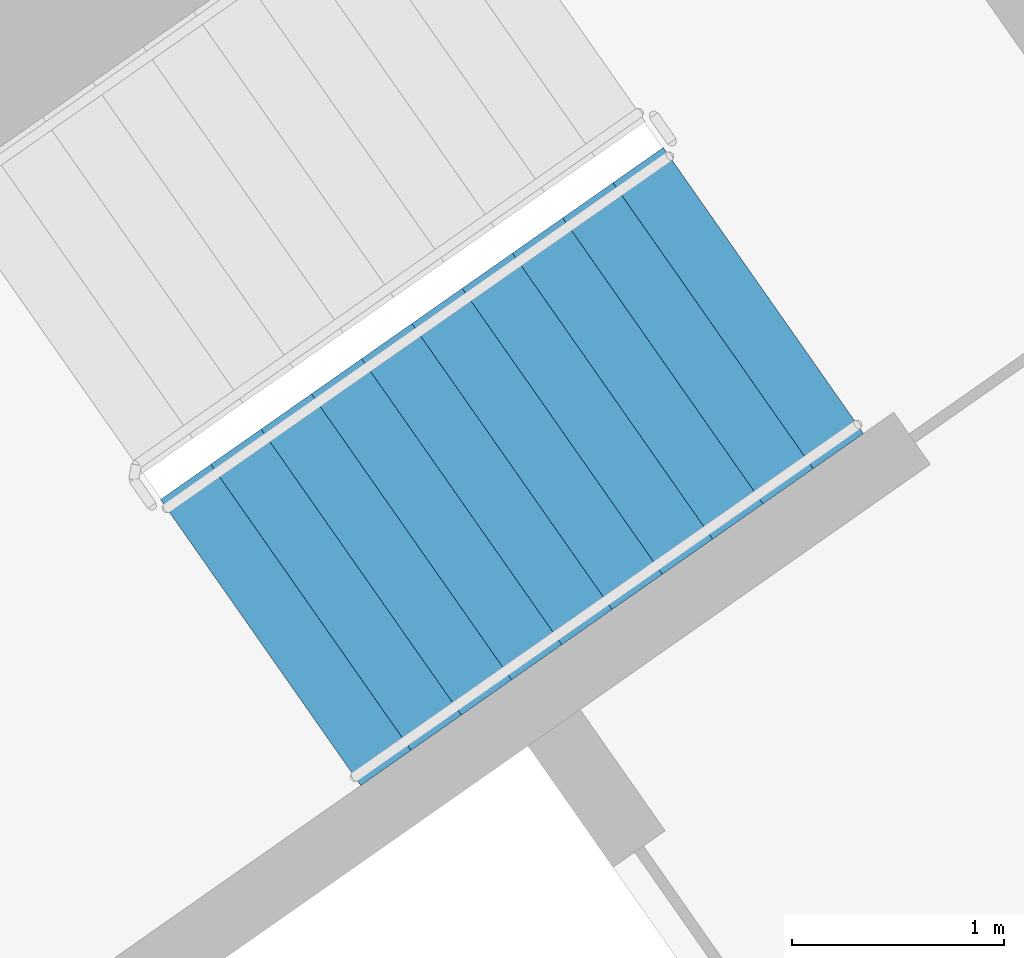
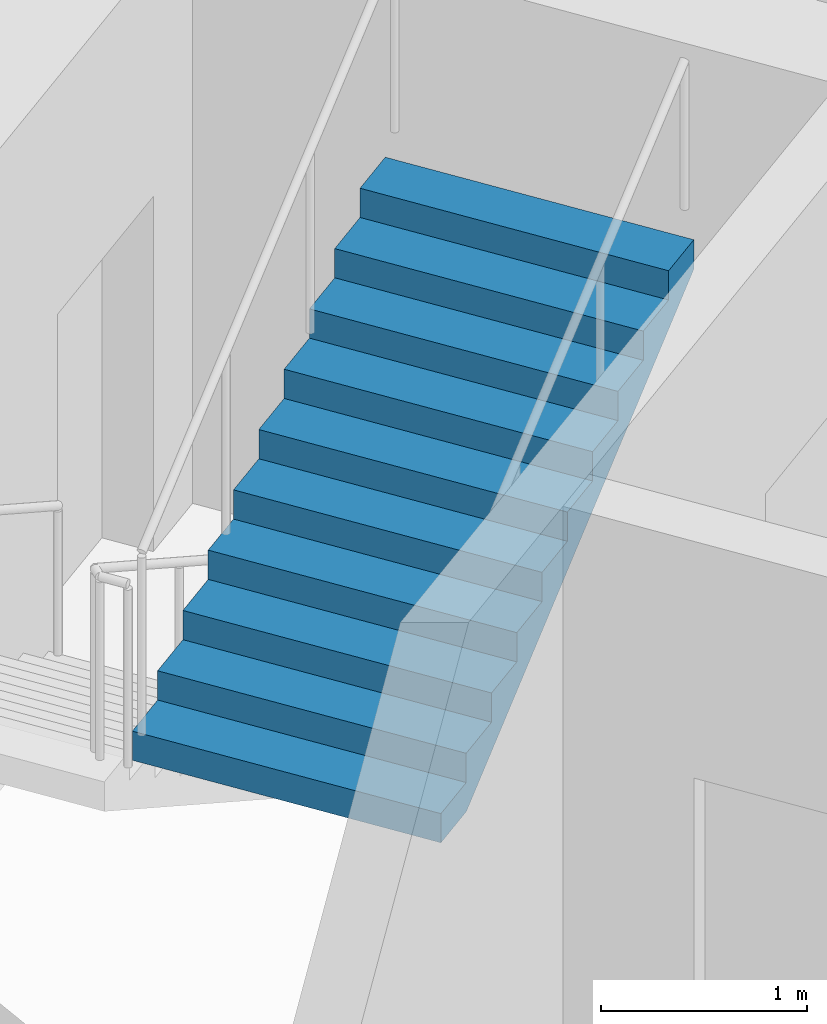
# One storey, part 16 of 28: 1 stair flight, 1 element without a shape of its own.
"""IFC4 building model written with IfcOpenShell, lengths in metres."""

import ifcopenshell
import ifcopenshell.guid

model = None  # the IFC model being written
_history = None  # IfcOwnerHistory: only IFC2X3 demands one
_inside = {}  # id of a spatial element -> (the spatial element, [elements in it])
_under = {}  # id of a project, library or spatial element -> (it, [spatial elements below it])
_declared = {}  # id of a project -> (the project, [libraries it declares])
_typed = {}  # id of a type object -> (the type object, [elements of that type])
_made_of = {}  # id of a material, layer set ... -> (it, [elements and type objects made of it])


def new_model(schema):
    """Start an empty IFC model of exactly this schema.

    Asked for "IFC4X3", IfcOpenShell would pick the latest addendum, in which some entities
    have other attributes; the version numbers below select the first issue.
    IFC2X3 requires an IfcOwnerHistory on every rooted entity: one is made here for all.
    """
    global model, _history
    if schema == "IFC4X3":
        model = ifcopenshell.file(schema_version=(4, 3, 0, 0))
    else:
        model = ifcopenshell.file(schema=schema)
    _inside.clear()
    _under.clear()
    _declared.clear()
    _typed.clear()
    _made_of.clear()
    _history = None
    if model.schema == "IFC2X3":
        org = make("IfcOrganization", Name="unknown")
        user = make(
            "IfcPersonAndOrganization",
            ThePerson=make("IfcPerson", FamilyName="unknown"),
            TheOrganization=org,
        )
        app = make(
            "IfcApplication",
            ApplicationDeveloper=org,
            Version="unknown",
            ApplicationFullName="unknown",
            ApplicationIdentifier="unknown",
        )
        _history = make(
            "IfcOwnerHistory",
            OwningUser=user,
            OwningApplication=app,
            ChangeAction="ADDED",
            CreationDate=0,
        )
    return model


def make(cls, **values):
    """One entity of the class cls with the attributes given. An attribute that is None is left unset."""
    return model.create_entity(
        cls, **{name: value for name, value in values.items() if value is not None}
    )


def rooted(cls, **values):
    """An entity with a GlobalId (a new one), such as an element, a storey or a relation."""
    return make(cls, GlobalId=ifcopenshell.guid.new(), OwnerHistory=_history, **values)


def si_unit(unit_type, name, prefix=None):
    """IfcSIUnit, for example si_unit("LENGTHUNIT", "METRE", prefix="MILLI")."""
    return make("IfcSIUnit", UnitType=unit_type, Prefix=prefix, Name=name)


def assignment(units):
    """IfcUnitAssignment: the units of a project."""
    return None if units is None else make("IfcUnitAssignment", Units=units)


def point(xyz):
    """IfcCartesianPoint."""
    return None if xyz is None else make("IfcCartesianPoint", Coordinates=xyz)


def direction(xyz):
    """IfcDirection."""
    return None if xyz is None else make("IfcDirection", DirectionRatios=xyz)


def frame(location, z_axis=None, x_axis=None):
    """IfcAxis2Placement3D, a coordinate frame: its origin and axes. An axis left out is left unset."""
    return make(
        "IfcAxis2Placement3D",
        Location=point(location),
        Axis=direction(z_axis),
        RefDirection=direction(x_axis),
    )


def origin():
    """The frame at (0, 0, 0) with its axes left unset."""
    return frame((0.0, 0.0, 0.0))


def place(relative_to, where):
    """IfcLocalPlacement: puts the frame where relative to a parent placement (None: the world)."""
    return make(
        "IfcLocalPlacement", PlacementRelTo=relative_to, RelativePlacement=where
    )


def context(
    kind, dimensions, precision=None, world=None, true_north=None, identifier=None
):
    """IfcGeometricRepresentationContext, for example the 3D "Model" context."""
    return make(
        "IfcGeometricRepresentationContext",
        ContextIdentifier=identifier,
        ContextType=kind,
        CoordinateSpaceDimension=dimensions,
        Precision=precision,
        WorldCoordinateSystem=world,
        TrueNorth=true_north,
    )


def subcontext(parent, identifier, kind, view, scale=None):
    """IfcGeometricRepresentationSubContext, for example "Body" below "Model"."""
    return make(
        "IfcGeometricRepresentationSubContext",
        ContextIdentifier=identifier,
        ContextType=kind,
        ParentContext=parent,
        TargetScale=scale,
        TargetView=view,
    )


def project(units=None, contexts=None):
    """IfcProject with its units and contexts."""
    return rooted(
        "IfcProject",
        Name="project",
        RepresentationContexts=contexts,
        UnitsInContext=assignment(units),
    )


def spatial(cls, under=None, at=None, **own):
    """A site, building, storey or space (cls), placed at a placement, below another one or the project."""
    s = rooted(cls, ObjectPlacement=at, **own)
    if under is not None:
        _under.setdefault(under.id(), (under, []))[1].append(s)
    return s


def faces_of(points, faces, orient=None, outer=None):
    """IfcFace entities. A face is a list of loops; a loop is a list of indices into points, from 0.

    orient and outer hold one flag for each loop. By default every Orientation is true, the
    first loop of a face is its IfcFaceOuterBound and the others are IfcFaceBound.
    """
    made = []
    for i, loops in enumerate(faces):
        bounds = []
        for j, loop in enumerate(loops):
            is_outer = j == 0 if outer is None else outer[i][j]
            bounds.append(
                make(
                    "IfcFaceOuterBound" if is_outer else "IfcFaceBound",
                    Bound=make("IfcPolyLoop", Polygon=[points[k] for k in loop]),
                    Orientation=True if orient is None else orient[i][j],
                )
            )
        made.append(make("IfcFace", Bounds=bounds))
    return made


def faceted_brep(points, faces, orient=None, outer=None, voids=None):
    """IfcFacetedBrep: a solid bounded by flat faces; with voids (closed shells), ...WithVoids."""
    shared = [point(p) for p in points]
    hull = make("IfcClosedShell", CfsFaces=faces_of(shared, faces, orient, outer))
    if voids is None:
        return make("IfcFacetedBrep", Outer=hull)
    return make(
        "IfcFacetedBrepWithVoids",
        Outer=hull,
        Voids=[
            make(cls, CfsFaces=faces_of(shared, fs, o, b)) for cls, fs, o, b in voids
        ],
    )


def shape(context_of_items, identifier, shape_type, items):
    """IfcShapeRepresentation: the items that make up one representation, for example the "Body"."""
    return make(
        "IfcShapeRepresentation",
        ContextOfItems=context_of_items,
        RepresentationIdentifier=identifier,
        RepresentationType=shape_type,
        Items=items,
    )


def material(Name=None, Category=None):
    """IfcMaterial."""
    return make("IfcMaterial", Name=Name, Category=Category)


def made_of(thing, what):
    """Note that an element or type object is made of a material, layer set ...; save() writes the relation."""
    if what is not None:
        _made_of.setdefault(what.id(), (what, []))[1].append(thing)
    return thing


def type_object(cls, material=None, **own):
    """A type object (cls), such as IfcWallType, which elements share."""
    return made_of(rooted(cls, **own), material)


def element(
    cls,
    number,
    at=None,
    inside=None,
    cuts=None,
    type_object=None,
    material=None,
    context=None,
    identifier="Body",
    shape_type=None,
    held_by="IfcProductDefinitionShape",
    body=None,
    shapes=None,
    **own,
):
    """One element of the class cls, such as IfcWall. Its Tag is "e" and its number.

    at: its placement. inside: the storey or other place that contains it. cuts: it is an
    opening in that element (IfcRelVoidsElement). A single representation is given by context,
    identifier, shape_type and body (its items); several are given by shapes. held_by: the class
    of the entity that holds the representations. save() writes the other relations.
    """
    e = rooted(cls, Tag="e%d" % number, ObjectPlacement=at, **own)
    if body is not None:
        shapes = [shape(context, identifier, shape_type, body)]
    if shapes is not None:
        e.Representation = make(held_by, Representations=shapes)
    if inside is not None:
        _inside.setdefault(inside.id(), (inside, []))[1].append(e)
    if cuts is not None:
        rooted(
            "IfcRelVoidsElement", RelatingBuildingElement=cuts, RelatedOpeningElement=e
        )
    if type_object is not None:
        _typed.setdefault(type_object.id(), (type_object, []))[1].append(e)
    return made_of(e, material)


def aggregate(whole, parts):
    """IfcRelAggregates: a whole, such as a stair, and the parts it consists of."""
    return rooted("IfcRelAggregates", RelatingObject=whole, RelatedObjects=parts)


def save(model, path):
    """Write the relations noted so far, then the file.

    IfcRelAggregates (storeys below a building ...), IfcRelContainedInSpatialStructure (elements
    in a storey), IfcRelDefinesByType, IfcRelAssociatesMaterial and IfcRelDeclares: one each for
    every whole, place, type object, material and project.
    """
    for whole, parts in _under.values():
        aggregate(whole, parts)
    for where, things in _inside.values():
        rooted(
            "IfcRelContainedInSpatialStructure",
            RelatedElements=things,
            RelatingStructure=where,
        )
    for kind, things in _typed.values():
        rooted("IfcRelDefinesByType", RelatedObjects=things, RelatingType=kind)
    for what, things in _made_of.values():
        rooted("IfcRelAssociatesMaterial", RelatedObjects=things, RelatingMaterial=what)
    for by, libraries in _declared.values():
        rooted("IfcRelDeclares", RelatingContext=by, RelatedDefinitions=libraries)
    model.write(path)


model = new_model("IFC4")

# Units and contexts
model_context = context("Model", 3, precision=1e-05, world=origin(), true_north=direction((0.0, 1.0)))
body_context = subcontext(model_context, "Body", "Model", "MODEL_VIEW")
ifc_project = project(units=[si_unit("LENGTHUNIT", "METRE"), si_unit("AREAUNIT", "SQUARE_METRE"), si_unit("VOLUMEUNIT", "CUBIC_METRE"), si_unit("PLANEANGLEUNIT", "RADIAN"), si_unit("MASSUNIT", "GRAM", prefix="KILO")], contexts=[model_context])

# Site, building, storey
site_placement = place(None, origin())
site = spatial("IfcSite", under=ifc_project, at=site_placement, CompositionType="ELEMENT")
building_placement = place(site_placement, origin())
building = spatial("IfcBuilding", under=site, at=building_placement, Name="Qamariyya Broadcast Tower", CompositionType="ELEMENT")
storey_placement = place(building_placement, frame((0.0, 0.0, 215.10009765625)))
storey = spatial("IfcBuildingStorey", under=building, at=storey_placement, Name="L51", CompositionType="ELEMENT", Elevation=215.10009765625)

# Stair, stair flight
ifc_material = material(Name="Concrete C50/60", Category="concrete")
stair_type = type_object("IfcStairType", Name="Exit stair 22 risers of 173 mm", PredefinedType="HALF_TURN_STAIR", material=ifc_material)
stair_placement = place(storey_placement, origin())
stair = element("IfcStair", 1, at=stair_placement, inside=storey, type_object=stair_type, Name="L51 Stair E2", PredefinedType="HALF_TURN_STAIR")
stair_flight_type = type_object("IfcStairFlightType", Name="Exit stair flight 11 risers of 173 mm", PredefinedType="STRAIGHT", material=ifc_material)
stair_flight_placement = place(storey_placement, frame((39.215576171875, -50.822998046875, 1.89990234375), z_axis=(0.0, 0.0, 1.0), x_axis=(0.819152044289, 0.573576436351, 0.0)))
stair_flight = element("IfcStairFlight", 2, at=stair_flight_placement, type_object=stair_flight_type, Name="ST-E2 flight 2", NumberOfRisers=11, NumberOfTreads=10, PredefinedType="STRAIGHT", RiserHeight=0.172727273, TreadLength=0.29, context=body_context, shape_type="Brep", body=[
    faceted_brep([(0.0, 0.824951171875, 0.0), (0.0, 0.824951171875, 0.172607421875), (0.2900390625, 0.824951171875, 0.172607421875), (0.2900390625, 0.824951171875, 0.345458984375), (0.580078125, 0.824951171875, 0.345458984375), (0.580078125, 0.824951171875, 0.51806640625), (0.8701171875, 0.824951171875, 0.51806640625), (0.8701171875, 0.824951171875, 0.69091796875), (1.159912109375, 0.824951171875, 0.69091796875), (1.159912109375, 0.824951171875, 0.863525390625), (1.449951171875, 0.824951171875, 0.863525390625), (1.449951171875, 0.824951171875, 1.036376953125), (1.739990234375, 0.824951171875, 1.036376953125), (1.739990234375, 0.824951171875, 1.208984375), (2.030029296875, 0.824951171875, 1.208984375), (2.030029296875, 0.824951171875, 1.3818359375), (2.320068359375, 0.824951171875, 1.3818359375), (2.320068359375, 0.824951171875, 1.554443359375), (2.610107421875, 0.824951171875, 1.554443359375), (2.610107421875, 0.824951171875, 1.727294921875), (2.89990234375, 0.824951171875, 1.727294921875), (2.89990234375, 0.824951171875, 1.552734375), (0.29296875, 0.824951171875, 0.0), (0.29296875, -0.824951171875, 0.0), (2.89990234375, -0.824951171875, 1.552734375), (2.89990234375, -0.824951171875, 1.727294921875), (2.610107421875, -0.824951171875, 1.727294921875), (2.610107421875, -0.824951171875, 1.554443359375), (2.320068359375, -0.824951171875, 1.554443359375), (2.320068359375, -0.824951171875, 1.3818359375), (2.030029296875, -0.824951171875, 1.3818359375), (2.030029296875, -0.824951171875, 1.208984375), (1.739990234375, -0.824951171875, 1.208984375), (1.739990234375, -0.824951171875, 1.036376953125), (1.449951171875, -0.824951171875, 1.036376953125), (1.449951171875, -0.824951171875, 0.863525390625), (1.159912109375, -0.824951171875, 0.863525390625), (1.159912109375, -0.824951171875, 0.69091796875), (0.8701171875, -0.824951171875, 0.69091796875), (0.8701171875, -0.824951171875, 0.51806640625), (0.580078125, -0.824951171875, 0.51806640625), (0.580078125, -0.824951171875, 0.345458984375), (0.2900390625, -0.824951171875, 0.345458984375), (0.2900390625, -0.824951171875, 0.172607421875), (0.0, -0.824951171875, 0.172607421875), (0.0, -0.824951171875, 0.0), (0.0, 0.10009765625, 0.0), (0.0, 0.086669921875, 0.0), (0.0, 0.0732421875, 0.0), (0.0, 0.06005859375, 0.0), (0.0, 0.046630859375, 0.0), (0.0, 0.033447265625, 0.0), (0.0, 0.02001953125, 0.0), (0.0, 0.006591796875, 0.0), (0.0, -0.006591796875, 0.0), (0.0, -0.02001953125, 0.0), (0.0, -0.033447265625, 0.0), (0.0, -0.046630859375, 0.0), (0.0, -0.06005859375, 0.0), (0.0, -0.0732421875, 0.0), (0.0, -0.086669921875, 0.0), (0.0, -0.10009765625, 0.0), (0.0, -0.10009765625, 0.172607421875), (0.0, -0.086669921875, 0.172607421875), (0.0, -0.0732421875, 0.172607421875), (0.0, -0.06005859375, 0.172607421875), (0.0, -0.046630859375, 0.172607421875), (0.0, -0.033447265625, 0.172607421875), (0.0, -0.02001953125, 0.172607421875), (0.0, -0.006591796875, 0.172607421875), (0.0, 0.006591796875, 0.172607421875), (0.0, 0.02001953125, 0.172607421875), (0.0, 0.033447265625, 0.172607421875), (0.0, 0.046630859375, 0.172607421875), (0.0, 0.06005859375, 0.172607421875), (0.0, 0.0732421875, 0.172607421875), (0.0, 0.086669921875, 0.172607421875), (0.0, 0.10009765625, 0.172607421875), (0.2900390625, -0.10009765625, 0.172607421875), (0.2900390625, -0.086669921875, 0.172607421875), (0.2900390625, -0.0732421875, 0.172607421875), (0.2900390625, -0.06005859375, 0.172607421875), (0.2900390625, -0.046630859375, 0.172607421875), (0.2900390625, -0.033447265625, 0.172607421875), (0.2900390625, -0.02001953125, 0.172607421875), (0.2900390625, -0.006591796875, 0.172607421875), (0.2900390625, 0.006591796875, 0.172607421875), (0.2900390625, 0.02001953125, 0.172607421875), (0.2900390625, 0.033447265625, 0.172607421875), (0.2900390625, 0.046630859375, 0.172607421875), (0.2900390625, 0.06005859375, 0.172607421875), (0.2900390625, 0.0732421875, 0.172607421875), (0.2900390625, 0.086669921875, 0.172607421875), (0.2900390625, 0.10009765625, 0.172607421875), (0.2900390625, -0.10009765625, 0.345458984375), (0.2900390625, -0.086669921875, 0.345458984375), (0.2900390625, -0.0732421875, 0.345458984375), (0.2900390625, -0.06005859375, 0.345458984375), (0.2900390625, -0.046630859375, 0.345458984375), (0.2900390625, -0.033447265625, 0.345458984375), (0.2900390625, -0.02001953125, 0.345458984375), (0.2900390625, -0.006591796875, 0.345458984375), (0.2900390625, 0.006591796875, 0.345458984375), (0.2900390625, 0.02001953125, 0.345458984375), (0.2900390625, 0.033447265625, 0.345458984375), (0.2900390625, 0.046630859375, 0.345458984375), (0.2900390625, 0.06005859375, 0.345458984375), (0.2900390625, 0.0732421875, 0.345458984375), (0.2900390625, 0.086669921875, 0.345458984375), (0.2900390625, 0.10009765625, 0.345458984375), (0.580078125, -0.10009765625, 0.345458984375), (0.580078125, -0.086669921875, 0.345458984375), (0.580078125, -0.0732421875, 0.345458984375), (0.580078125, -0.06005859375, 0.345458984375), (0.580078125, -0.046630859375, 0.345458984375), (0.580078125, -0.033447265625, 0.345458984375), (0.580078125, -0.02001953125, 0.345458984375), (0.580078125, -0.006591796875, 0.345458984375), (0.580078125, 0.006591796875, 0.345458984375), (0.580078125, 0.02001953125, 0.345458984375), (0.580078125, 0.033447265625, 0.345458984375), (0.580078125, 0.046630859375, 0.345458984375), (0.580078125, 0.06005859375, 0.345458984375), (0.580078125, 0.0732421875, 0.345458984375), (0.580078125, 0.086669921875, 0.345458984375), (0.580078125, 0.10009765625, 0.345458984375), (0.580078125, -0.10009765625, 0.51806640625), (0.580078125, -0.086669921875, 0.51806640625), (0.580078125, -0.0732421875, 0.51806640625), (0.580078125, -0.06005859375, 0.51806640625), (0.580078125, -0.046630859375, 0.51806640625), (0.580078125, -0.033447265625, 0.51806640625), (0.580078125, -0.02001953125, 0.51806640625), (0.580078125, -0.006591796875, 0.51806640625), (0.580078125, 0.006591796875, 0.51806640625), (0.580078125, 0.02001953125, 0.51806640625), (0.580078125, 0.033447265625, 0.51806640625), (0.580078125, 0.046630859375, 0.51806640625), (0.580078125, 0.06005859375, 0.51806640625), (0.580078125, 0.0732421875, 0.51806640625), (0.580078125, 0.086669921875, 0.51806640625), (0.580078125, 0.10009765625, 0.51806640625), (0.8701171875, -0.10009765625, 0.51806640625), (0.8701171875, -0.086669921875, 0.51806640625), (0.8701171875, -0.0732421875, 0.51806640625), (0.8701171875, -0.06005859375, 0.51806640625), (0.8701171875, -0.046630859375, 0.51806640625), (0.8701171875, -0.033447265625, 0.51806640625), (0.8701171875, -0.02001953125, 0.51806640625), (0.8701171875, -0.006591796875, 0.51806640625), (0.8701171875, 0.006591796875, 0.51806640625), (0.8701171875, 0.02001953125, 0.51806640625), (0.8701171875, 0.033447265625, 0.51806640625), (0.8701171875, 0.046630859375, 0.51806640625), (0.8701171875, 0.06005859375, 0.51806640625), (0.8701171875, 0.0732421875, 0.51806640625), (0.8701171875, 0.086669921875, 0.51806640625), (0.8701171875, 0.10009765625, 0.51806640625), (0.8701171875, -0.10009765625, 0.69091796875), (0.8701171875, -0.086669921875, 0.69091796875), (0.8701171875, -0.0732421875, 0.69091796875), (0.8701171875, -0.06005859375, 0.69091796875), (0.8701171875, -0.046630859375, 0.69091796875), (0.8701171875, -0.033447265625, 0.69091796875), (0.8701171875, -0.02001953125, 0.69091796875), (0.8701171875, -0.006591796875, 0.69091796875), (0.8701171875, 0.006591796875, 0.69091796875), (0.8701171875, 0.02001953125, 0.69091796875), (0.8701171875, 0.033447265625, 0.69091796875), (0.8701171875, 0.046630859375, 0.69091796875), (0.8701171875, 0.06005859375, 0.69091796875), (0.8701171875, 0.0732421875, 0.69091796875), (0.8701171875, 0.086669921875, 0.69091796875), (0.8701171875, 0.10009765625, 0.69091796875), (1.159912109375, -0.10009765625, 0.69091796875), (1.159912109375, -0.086669921875, 0.69091796875), (1.159912109375, -0.0732421875, 0.69091796875), (1.159912109375, -0.06005859375, 0.69091796875), (1.159912109375, -0.046630859375, 0.69091796875), (1.159912109375, -0.033447265625, 0.69091796875), (1.159912109375, -0.02001953125, 0.69091796875), (1.159912109375, -0.006591796875, 0.69091796875), (1.159912109375, 0.006591796875, 0.69091796875), (1.159912109375, 0.02001953125, 0.69091796875), (1.159912109375, 0.033447265625, 0.69091796875), (1.159912109375, 0.046630859375, 0.69091796875), (1.159912109375, 0.06005859375, 0.69091796875), (1.159912109375, 0.0732421875, 0.69091796875), (1.159912109375, 0.086669921875, 0.69091796875), (1.159912109375, 0.10009765625, 0.69091796875), (1.159912109375, -0.10009765625, 0.863525390625), (1.159912109375, -0.086669921875, 0.863525390625), (1.159912109375, -0.0732421875, 0.863525390625), (1.159912109375, -0.06005859375, 0.863525390625), (1.159912109375, -0.046630859375, 0.863525390625), (1.159912109375, -0.033447265625, 0.863525390625), (1.159912109375, -0.02001953125, 0.863525390625), (1.159912109375, -0.006591796875, 0.863525390625), (1.159912109375, 0.006591796875, 0.863525390625), (1.159912109375, 0.02001953125, 0.863525390625), (1.159912109375, 0.033447265625, 0.863525390625), (1.159912109375, 0.046630859375, 0.863525390625), (1.159912109375, 0.06005859375, 0.863525390625), (1.159912109375, 0.0732421875, 0.863525390625), (1.159912109375, 0.086669921875, 0.863525390625), (1.159912109375, 0.10009765625, 0.863525390625), (1.449951171875, -0.10009765625, 0.863525390625), (1.449951171875, -0.086669921875, 0.863525390625), (1.449951171875, -0.0732421875, 0.863525390625), (1.449951171875, -0.06005859375, 0.863525390625), (1.449951171875, -0.046630859375, 0.863525390625), (1.449951171875, -0.033447265625, 0.863525390625), (1.449951171875, -0.02001953125, 0.863525390625), (1.449951171875, -0.006591796875, 0.863525390625), (1.449951171875, 0.006591796875, 0.863525390625), (1.449951171875, 0.02001953125, 0.863525390625), (1.449951171875, 0.033447265625, 0.863525390625), (1.449951171875, 0.046630859375, 0.863525390625), (1.449951171875, 0.06005859375, 0.863525390625), (1.449951171875, 0.0732421875, 0.863525390625), (1.449951171875, 0.086669921875, 0.863525390625), (1.449951171875, 0.10009765625, 0.863525390625), (1.449951171875, -0.10009765625, 1.036376953125), (1.449951171875, -0.086669921875, 1.036376953125), (1.449951171875, -0.0732421875, 1.036376953125), (1.449951171875, -0.06005859375, 1.036376953125), (1.449951171875, -0.046630859375, 1.036376953125), (1.449951171875, -0.033447265625, 1.036376953125), (1.449951171875, -0.02001953125, 1.036376953125), (1.449951171875, -0.006591796875, 1.036376953125), (1.449951171875, 0.006591796875, 1.036376953125), (1.449951171875, 0.02001953125, 1.036376953125), (1.449951171875, 0.033447265625, 1.036376953125), (1.449951171875, 0.046630859375, 1.036376953125), (1.449951171875, 0.06005859375, 1.036376953125), (1.449951171875, 0.0732421875, 1.036376953125), (1.449951171875, 0.086669921875, 1.036376953125), (1.449951171875, 0.10009765625, 1.036376953125), (1.739990234375, -0.10009765625, 1.036376953125), (1.739990234375, -0.086669921875, 1.036376953125), (1.739990234375, -0.0732421875, 1.036376953125), (1.739990234375, -0.06005859375, 1.036376953125), (1.739990234375, -0.046630859375, 1.036376953125), (1.739990234375, -0.033447265625, 1.036376953125), (1.739990234375, -0.02001953125, 1.036376953125), (1.739990234375, -0.006591796875, 1.036376953125), (1.739990234375, 0.006591796875, 1.036376953125), (1.739990234375, 0.02001953125, 1.036376953125), (1.739990234375, 0.033447265625, 1.036376953125), (1.739990234375, 0.046630859375, 1.036376953125), (1.739990234375, 0.06005859375, 1.036376953125), (1.739990234375, 0.0732421875, 1.036376953125), (1.739990234375, 0.086669921875, 1.036376953125), (1.739990234375, 0.10009765625, 1.036376953125), (1.739990234375, -0.10009765625, 1.208984375), (1.739990234375, -0.086669921875, 1.208984375), (1.739990234375, -0.0732421875, 1.208984375), (1.739990234375, -0.06005859375, 1.208984375), (1.739990234375, -0.046630859375, 1.208984375), (1.739990234375, -0.033447265625, 1.208984375), (1.739990234375, -0.02001953125, 1.208984375), (1.739990234375, -0.006591796875, 1.208984375), (1.739990234375, 0.006591796875, 1.208984375), (1.739990234375, 0.02001953125, 1.208984375), (1.739990234375, 0.033447265625, 1.208984375), (1.739990234375, 0.046630859375, 1.208984375), (1.739990234375, 0.06005859375, 1.208984375), (1.739990234375, 0.0732421875, 1.208984375), (1.739990234375, 0.086669921875, 1.208984375), (1.739990234375, 0.10009765625, 1.208984375), (2.030029296875, -0.10009765625, 1.208984375), (2.030029296875, -0.086669921875, 1.208984375), (2.030029296875, -0.0732421875, 1.208984375), (2.030029296875, -0.06005859375, 1.208984375), (2.030029296875, -0.046630859375, 1.208984375), (2.030029296875, -0.033447265625, 1.208984375), (2.030029296875, -0.02001953125, 1.208984375), (2.030029296875, -0.006591796875, 1.208984375), (2.030029296875, 0.006591796875, 1.208984375), (2.030029296875, 0.02001953125, 1.208984375), (2.030029296875, 0.033447265625, 1.208984375), (2.030029296875, 0.046630859375, 1.208984375), (2.030029296875, 0.06005859375, 1.208984375), (2.030029296875, 0.0732421875, 1.208984375), (2.030029296875, 0.086669921875, 1.208984375), (2.030029296875, 0.10009765625, 1.208984375), (2.030029296875, -0.10009765625, 1.3818359375), (2.030029296875, -0.086669921875, 1.3818359375), (2.030029296875, -0.0732421875, 1.3818359375), (2.030029296875, -0.06005859375, 1.3818359375), (2.030029296875, -0.046630859375, 1.3818359375), (2.030029296875, -0.033447265625, 1.3818359375), (2.030029296875, -0.02001953125, 1.3818359375), (2.030029296875, -0.006591796875, 1.3818359375), (2.030029296875, 0.006591796875, 1.3818359375), (2.030029296875, 0.02001953125, 1.3818359375), (2.030029296875, 0.033447265625, 1.3818359375), (2.030029296875, 0.046630859375, 1.3818359375), (2.030029296875, 0.06005859375, 1.3818359375), (2.030029296875, 0.0732421875, 1.3818359375), (2.030029296875, 0.086669921875, 1.3818359375), (2.030029296875, 0.10009765625, 1.3818359375), (2.320068359375, -0.10009765625, 1.3818359375), (2.320068359375, -0.086669921875, 1.3818359375), (2.320068359375, -0.0732421875, 1.3818359375), (2.320068359375, -0.06005859375, 1.3818359375), (2.320068359375, -0.046630859375, 1.3818359375), (2.320068359375, -0.033447265625, 1.3818359375), (2.320068359375, -0.02001953125, 1.3818359375), (2.320068359375, -0.006591796875, 1.3818359375), (2.320068359375, 0.006591796875, 1.3818359375), (2.320068359375, 0.02001953125, 1.3818359375), (2.320068359375, 0.033447265625, 1.3818359375), (2.320068359375, 0.046630859375, 1.3818359375), (2.320068359375, 0.06005859375, 1.3818359375), (2.320068359375, 0.0732421875, 1.3818359375), (2.320068359375, 0.086669921875, 1.3818359375), (2.320068359375, 0.10009765625, 1.3818359375), (2.320068359375, -0.10009765625, 1.554443359375), (2.320068359375, -0.086669921875, 1.554443359375), (2.320068359375, -0.0732421875, 1.554443359375), (2.320068359375, -0.06005859375, 1.554443359375), (2.320068359375, -0.046630859375, 1.554443359375), (2.320068359375, -0.033447265625, 1.554443359375), (2.320068359375, -0.02001953125, 1.554443359375), (2.320068359375, -0.006591796875, 1.554443359375), (2.320068359375, 0.006591796875, 1.554443359375), (2.320068359375, 0.02001953125, 1.554443359375), (2.320068359375, 0.033447265625, 1.554443359375), (2.320068359375, 0.046630859375, 1.554443359375), (2.320068359375, 0.06005859375, 1.554443359375), (2.320068359375, 0.0732421875, 1.554443359375), (2.320068359375, 0.086669921875, 1.554443359375), (2.320068359375, 0.10009765625, 1.554443359375), (2.610107421875, -0.10009765625, 1.554443359375), (2.610107421875, -0.086669921875, 1.554443359375), (2.610107421875, -0.0732421875, 1.554443359375), (2.610107421875, -0.06005859375, 1.554443359375), (2.610107421875, -0.046630859375, 1.554443359375), (2.610107421875, -0.033447265625, 1.554443359375), (2.610107421875, -0.02001953125, 1.554443359375), (2.610107421875, -0.006591796875, 1.554443359375), (2.610107421875, 0.006591796875, 1.554443359375), (2.610107421875, 0.02001953125, 1.554443359375), (2.610107421875, 0.033447265625, 1.554443359375), (2.610107421875, 0.046630859375, 1.554443359375), (2.610107421875, 0.06005859375, 1.554443359375), (2.610107421875, 0.0732421875, 1.554443359375), (2.610107421875, 0.086669921875, 1.554443359375), (2.610107421875, 0.10009765625, 1.554443359375), (2.610107421875, -0.10009765625, 1.727294921875), (2.610107421875, -0.086669921875, 1.727294921875), (2.610107421875, -0.0732421875, 1.727294921875), (2.610107421875, -0.06005859375, 1.727294921875), (2.610107421875, -0.046630859375, 1.727294921875), (2.610107421875, -0.033447265625, 1.727294921875), (2.610107421875, -0.02001953125, 1.727294921875), (2.610107421875, -0.006591796875, 1.727294921875), (2.610107421875, 0.006591796875, 1.727294921875), (2.610107421875, 0.02001953125, 1.727294921875), (2.610107421875, 0.033447265625, 1.727294921875), (2.610107421875, 0.046630859375, 1.727294921875), (2.610107421875, 0.06005859375, 1.727294921875), (2.610107421875, 0.0732421875, 1.727294921875), (2.610107421875, 0.086669921875, 1.727294921875), (2.610107421875, 0.10009765625, 1.727294921875), (2.89990234375, -0.10009765625, 1.727294921875), (2.89990234375, -0.086669921875, 1.727294921875), (2.89990234375, -0.0732421875, 1.727294921875), (2.89990234375, -0.06005859375, 1.727294921875), (2.89990234375, -0.046630859375, 1.727294921875), (2.89990234375, -0.033447265625, 1.727294921875), (2.89990234375, -0.02001953125, 1.727294921875), (2.89990234375, -0.006591796875, 1.727294921875), (2.89990234375, 0.006591796875, 1.727294921875), (2.89990234375, 0.02001953125, 1.727294921875), (2.89990234375, 0.033447265625, 1.727294921875), (2.89990234375, 0.046630859375, 1.727294921875), (2.89990234375, 0.06005859375, 1.727294921875), (2.89990234375, 0.0732421875, 1.727294921875), (2.89990234375, 0.086669921875, 1.727294921875), (2.89990234375, 0.10009765625, 1.727294921875), (2.89990234375, -0.10009765625, 1.552734375), (2.89990234375, -0.086669921875, 1.552734375), (2.89990234375, -0.0732421875, 1.552734375), (2.89990234375, -0.06005859375, 1.552734375), (2.89990234375, -0.046630859375, 1.552734375), (2.89990234375, -0.033447265625, 1.552734375), (2.89990234375, -0.02001953125, 1.552734375), (2.89990234375, -0.006591796875, 1.552734375), (2.89990234375, 0.006591796875, 1.552734375), (2.89990234375, 0.02001953125, 1.552734375), (2.89990234375, 0.033447265625, 1.552734375), (2.89990234375, 0.046630859375, 1.552734375), (2.89990234375, 0.06005859375, 1.552734375), (2.89990234375, 0.0732421875, 1.552734375), (2.89990234375, 0.086669921875, 1.552734375), (2.89990234375, 0.10009765625, 1.552734375), (0.29296875, -0.10009765625, 0.0), (0.29296875, -0.086669921875, 0.0), (0.29296875, -0.0732421875, 0.0), (0.29296875, -0.06005859375, 0.0), (0.29296875, -0.046630859375, 0.0), (0.29296875, -0.033447265625, 0.0), (0.29296875, -0.02001953125, 0.0), (0.29296875, -0.006591796875, 0.0), (0.29296875, 0.006591796875, 0.0), (0.29296875, 0.02001953125, 0.0), (0.29296875, 0.033447265625, 0.0), (0.29296875, 0.046630859375, 0.0), (0.29296875, 0.06005859375, 0.0), (0.29296875, 0.0732421875, 0.0), (0.29296875, 0.086669921875, 0.0), (0.29296875, 0.10009765625, 0.0)], [[[0, 1, 2, 3, 4, 5, 6, 7, 8, 9, 10, 11, 12, 13, 14, 15, 16, 17, 18, 19, 20, 21, 22]], [[23, 24, 25, 26, 27, 28, 29, 30, 31, 32, 33, 34, 35, 36, 37, 38, 39, 40, 41, 42, 43, 44, 45]], [[0, 46, 47, 48, 49, 50, 51, 52, 53, 54, 55, 56, 57, 58, 59, 60, 61, 45, 44, 62, 63, 64, 65, 66, 67, 68, 69, 70, 71, 72, 73, 74, 75, 76, 77, 1]], [[1, 77, 76, 75, 74, 73, 72, 71, 70, 69, 68, 67, 66, 65, 64, 63, 62, 44, 43, 78, 79, 80, 81, 82, 83, 84, 85, 86, 87, 88, 89, 90, 91, 92, 93, 2]], [[2, 93, 92, 91, 90, 89, 88, 87, 86, 85, 84, 83, 82, 81, 80, 79, 78, 43, 42, 94, 95, 96, 97, 98, 99, 100, 101, 102, 103, 104, 105, 106, 107, 108, 109, 3]], [[3, 109, 108, 107, 106, 105, 104, 103, 102, 101, 100, 99, 98, 97, 96, 95, 94, 42, 41, 110, 111, 112, 113, 114, 115, 116, 117, 118, 119, 120, 121, 122, 123, 124, 125, 4]], [[4, 125, 124, 123, 122, 121, 120, 119, 118, 117, 116, 115, 114, 113, 112, 111, 110, 41, 40, 126, 127, 128, 129, 130, 131, 132, 133, 134, 135, 136, 137, 138, 139, 140, 141, 5]], [[5, 141, 140, 139, 138, 137, 136, 135, 134, 133, 132, 131, 130, 129, 128, 127, 126, 40, 39, 142, 143, 144, 145, 146, 147, 148, 149, 150, 151, 152, 153, 154, 155, 156, 157, 6]], [[6, 157, 156, 155, 154, 153, 152, 151, 150, 149, 148, 147, 146, 145, 144, 143, 142, 39, 38, 158, 159, 160, 161, 162, 163, 164, 165, 166, 167, 168, 169, 170, 171, 172, 173, 7]], [[7, 173, 172, 171, 170, 169, 168, 167, 166, 165, 164, 163, 162, 161, 160, 159, 158, 38, 37, 174, 175, 176, 177, 178, 179, 180, 181, 182, 183, 184, 185, 186, 187, 188, 189, 8]], [[8, 189, 188, 187, 186, 185, 184, 183, 182, 181, 180, 179, 178, 177, 176, 175, 174, 37, 36, 190, 191, 192, 193, 194, 195, 196, 197, 198, 199, 200, 201, 202, 203, 204, 205, 9]], [[9, 205, 204, 203, 202, 201, 200, 199, 198, 197, 196, 195, 194, 193, 192, 191, 190, 36, 35, 206, 207, 208, 209, 210, 211, 212, 213, 214, 215, 216, 217, 218, 219, 220, 221, 10]], [[10, 221, 220, 219, 218, 217, 216, 215, 214, 213, 212, 211, 210, 209, 208, 207, 206, 35, 34, 222, 223, 224, 225, 226, 227, 228, 229, 230, 231, 232, 233, 234, 235, 236, 237, 11]], [[11, 237, 236, 235, 234, 233, 232, 231, 230, 229, 228, 227, 226, 225, 224, 223, 222, 34, 33, 238, 239, 240, 241, 242, 243, 244, 245, 246, 247, 248, 249, 250, 251, 252, 253, 12]], [[12, 253, 252, 251, 250, 249, 248, 247, 246, 245, 244, 243, 242, 241, 240, 239, 238, 33, 32, 254, 255, 256, 257, 258, 259, 260, 261, 262, 263, 264, 265, 266, 267, 268, 269, 13]], [[13, 269, 268, 267, 266, 265, 264, 263, 262, 261, 260, 259, 258, 257, 256, 255, 254, 32, 31, 270, 271, 272, 273, 274, 275, 276, 277, 278, 279, 280, 281, 282, 283, 284, 285, 14]], [[14, 285, 284, 283, 282, 281, 280, 279, 278, 277, 276, 275, 274, 273, 272, 271, 270, 31, 30, 286, 287, 288, 289, 290, 291, 292, 293, 294, 295, 296, 297, 298, 299, 300, 301, 15]], [[15, 301, 300, 299, 298, 297, 296, 295, 294, 293, 292, 291, 290, 289, 288, 287, 286, 30, 29, 302, 303, 304, 305, 306, 307, 308, 309, 310, 311, 312, 313, 314, 315, 316, 317, 16]], [[16, 317, 316, 315, 314, 313, 312, 311, 310, 309, 308, 307, 306, 305, 304, 303, 302, 29, 28, 318, 319, 320, 321, 322, 323, 324, 325, 326, 327, 328, 329, 330, 331, 332, 333, 17]], [[17, 333, 332, 331, 330, 329, 328, 327, 326, 325, 324, 323, 322, 321, 320, 319, 318, 28, 27, 334, 335, 336, 337, 338, 339, 340, 341, 342, 343, 344, 345, 346, 347, 348, 349, 18]], [[18, 349, 348, 347, 346, 345, 344, 343, 342, 341, 340, 339, 338, 337, 336, 335, 334, 27, 26, 350, 351, 352, 353, 354, 355, 356, 357, 358, 359, 360, 361, 362, 363, 364, 365, 19]], [[19, 365, 364, 363, 362, 361, 360, 359, 358, 357, 356, 355, 354, 353, 352, 351, 350, 26, 25, 366, 367, 368, 369, 370, 371, 372, 373, 374, 375, 376, 377, 378, 379, 380, 381, 20]], [[20, 381, 380, 379, 378, 377, 376, 375, 374, 373, 372, 371, 370, 369, 368, 367, 366, 25, 24, 382, 383, 384, 385, 386, 387, 388, 389, 390, 391, 392, 393, 394, 395, 396, 397, 21]], [[21, 397, 396, 395, 394, 393, 392, 391, 390, 389, 388, 387, 386, 385, 384, 383, 382, 24, 23, 398, 399, 400, 401, 402, 403, 404, 405, 406, 407, 408, 409, 410, 411, 412, 413, 22]], [[22, 413, 412, 411, 410, 409, 408, 407, 406, 405, 404, 403, 402, 401, 400, 399, 398, 23, 45, 61, 60, 59, 58, 57, 56, 55, 54, 53, 52, 51, 50, 49, 48, 47, 46, 0]]]),
])
aggregate(stair, [stair_flight])

save(model, "model.ifc")
